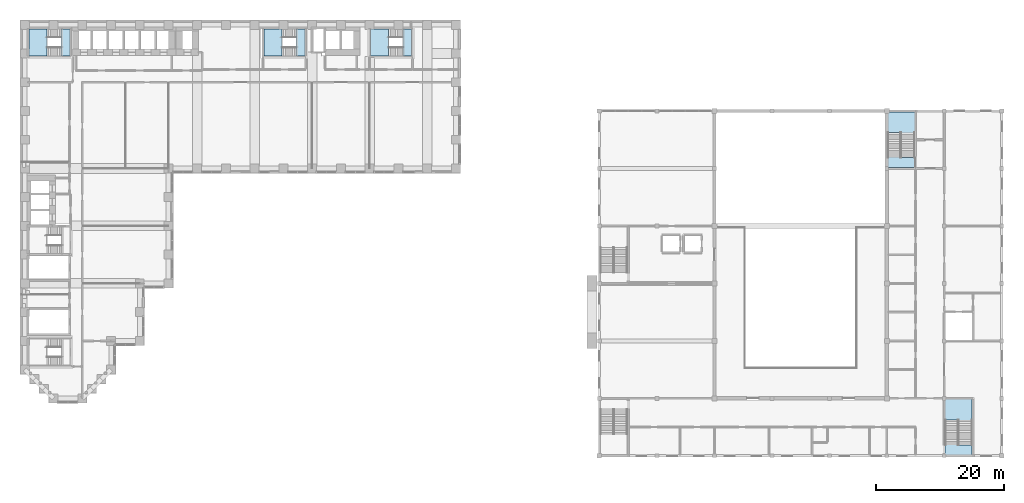
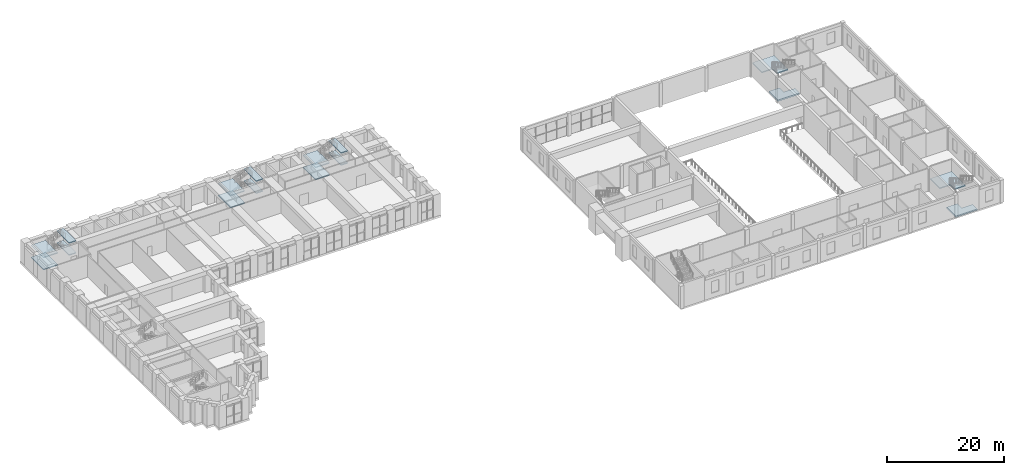
# One storey, part 17 of 34: 16 slabs, 5 elements without a shape of their own.
"""IFC4 building model written with IfcOpenShell, lengths in metres."""

from ifc_helpers import new_model, si_unit, direction, frame, origin, place, context, subcontext, project, spatial, polyline, outline, extrude, material, layer, layer_set, type_object, element, aggregate, save


model = new_model("IFC4")

# Units and contexts
model_context = context("Model", 3, precision=1e-05, world=origin(), true_north=direction((0.0, 1.0)))
body_context = subcontext(model_context, "Body", "Model", "MODEL_VIEW")
ifc_project = project(units=[si_unit("LENGTHUNIT", "METRE"), si_unit("AREAUNIT", "SQUARE_METRE"), si_unit("VOLUMEUNIT", "CUBIC_METRE"), si_unit("PLANEANGLEUNIT", "RADIAN"), si_unit("MASSUNIT", "GRAM", prefix="KILO")], contexts=[model_context])

# Site, building, storey
site_placement = place(None, origin())
site = spatial("IfcSite", under=ifc_project, at=site_placement, CompositionType="ELEMENT")
building_placement = place(site_placement, origin())
building = spatial("IfcBuilding", under=site, at=building_placement, Name="Firuza Court", CompositionType="ELEMENT")
storey_placement = place(building_placement, frame((0.0, 0.0, 19.0)))
storey = spatial("IfcBuildingStorey", under=building, at=storey_placement, Name="L03", CompositionType="ELEMENT", Elevation=19.0)

# Slabs
ifc_material_1 = material(Name="Concrete C40/50", Category="concrete")
ifc_layer_1 = layer(ifc_material_1, 0.300048828125)
ifc_layer_set_1 = layer_set([ifc_layer_1], Name="Concrete C40/50")
slab_type_1 = type_object("IfcSlabType", Name="HALL FLAT SLAB 300", PredefinedType="FLOOR", material=ifc_layer_set_1)
slab_1_placement = place(storey_placement, frame((0.0, 0.0, -0.300048828125)))
element("IfcSlab", 1, at=slab_1_placement, inside=storey, type_object=slab_type_1, Name="Floor slab L03.1", PredefinedType="FLOOR", context=body_context, shape_type="SweptSolid", body=[
    extrude(outline(polyline([(144.125, -8.875), (144.125, -5.800048828125), (146.199951171875, -5.800048828125), (146.199951171875, -7.2900390625), (148.375, -7.2900390625), (148.375, -8.875), (144.125, -8.875)])), origin(), (0.0, 0.0, 1.0), 0.300048828125),
])
slab_2_placement = place(storey_placement, frame((0.0, 0.0, -0.300048828125)))
element("IfcSlab", 2, at=slab_2_placement, inside=storey, type_object=slab_type_1, Name="Floor slab L03.5", PredefinedType="FLOOR", context=body_context, shape_type="SweptSolid", body=[
    extrude(outline(polyline([(135.125, 36.125), (135.125, 39.199951171875), (137.199951171875, 39.199951171875), (137.199951171875, 37.7099609375), (139.375, 37.7099609375), (139.375, 36.125), (135.125, 36.125)])), origin(), (0.0, 0.0, 1.0), 0.300048828125),
])

# Stair, slab
ifc_material_2 = material(Name="Concrete C40/50", Category="concrete")
stair_type_1 = type_object("IfcStairType", Name="HALL STAIR", PredefinedType="NOTDEFINED", material=ifc_material_2)
stair_1_placement = place(storey_placement, origin())
stair_1 = element("IfcStair", 3, at=stair_1_placement, inside=storey, type_object=stair_type_1, Name="Stair H2 L03", PredefinedType="NOTDEFINED")
ifc_layer_2 = layer(ifc_material_1, 0.199951171875)
ifc_layer_set_2 = layer_set([ifc_layer_2], Name="Concrete C40/50")
slab_type_2 = type_object("IfcSlabType", Name="HALL STAIR LANDING 200", PredefinedType="LANDING", material=ifc_layer_set_2)
slab_3_placement = place(storey_placement, frame((0.0, 0.0, 2.300048828125)))
slab_3 = element("IfcSlab", 4, at=slab_3_placement, type_object=slab_type_2, Name="HS-2 landing 1", PredefinedType="LANDING", context=body_context, shape_type="SweptSolid", body=[
    extrude(outline(polyline([(144.125, -3.389892578125), (146.199951171875, -3.389892578125), (146.199951171875, -4.8798828125), (148.375, -4.8798828125), (148.375, -0.125), (144.125, -0.125), (144.125, -3.389892578125)])), origin(), (0.0, 0.0, 1.0), 0.199951171875),
])
aggregate(stair_1, [slab_3])

stair_2_placement = place(storey_placement, origin())
stair_2 = element("IfcStair", 5, at=stair_2_placement, inside=storey, type_object=stair_type_1, Name="Stair H4 L03", PredefinedType="NOTDEFINED")
slab_4_placement = place(storey_placement, frame((0.0, 0.0, 2.300048828125)))
slab_4 = element("IfcSlab", 6, at=slab_4_placement, type_object=slab_type_2, Name="HS-4 landing 1", PredefinedType="LANDING", context=body_context, shape_type="SweptSolid", body=[
    extrude(outline(polyline([(135.125, 41.610107421875), (137.199951171875, 41.610107421875), (137.199951171875, 40.1201171875), (139.375, 40.1201171875), (139.375, 44.875), (135.125, 44.875), (135.125, 41.610107421875)])), origin(), (0.0, 0.0, 1.0), 0.199951171875),
])
aggregate(stair_2, [slab_4])

# Stair, slabs
ifc_material_3 = material(Name="Concrete C40/50 precast", Category="concrete")
stair_type_2 = type_object("IfcStairType", Name="Stair 1350 x 5000 4 flights", PredefinedType="QUARTER_TURN_STAIR", material=ifc_material_3)
stair_3_placement = place(storey_placement, origin())
stair_3 = element("IfcStair", 7, at=stair_3_placement, inside=storey, type_object=stair_type_2, Name="Stair 1 L03", PredefinedType="QUARTER_TURN_STAIR")
ifc_material_4 = material(Name="Concrete C40/50 precast", Category="concrete")
ifc_layer_3 = layer(ifc_material_4, 0.199951171875)
ifc_layer_set_3 = layer_set([ifc_layer_3], Name="Concrete C40/50 precast")
slab_type_3 = type_object("IfcSlabType", Name="Stair landing 200", PredefinedType="LANDING", material=ifc_layer_set_3)
slab_5_placement = place(storey_placement, frame((0.0, 0.0, 1.050048828125)))
slab_5 = element("IfcSlab", 8, at=slab_5_placement, type_object=slab_type_3, Name="S1 landing 1", PredefinedType="LANDING", context=body_context, shape_type="SweptSolid", body=[
    extrude(outline(polyline([(40.260009765625, 53.64990234375), (40.260009765625, 57.85009765625), (37.449951171875, 57.85009765625), (37.449951171875, 53.64990234375), (40.260009765625, 53.64990234375)])), origin(), (0.0, 0.0, 1.0), 0.199951171875),
])
slab_6_placement = place(storey_placement, frame((0.0, 0.0, 2.300048828125)))
slab_6 = element("IfcSlab", 9, at=slab_6_placement, type_object=slab_type_3, Name="S1 landing 2", PredefinedType="LANDING", context=body_context, shape_type="SweptSolid", body=[
    extrude(outline(polyline([(43.85009765625, 53.64990234375), (43.85009765625, 57.85009765625), (42.5, 57.85009765625), (42.5, 53.64990234375), (43.85009765625, 53.64990234375)])), origin(), (0.0, 0.0, 1.0), 0.199951171875),
])
slab_7_placement = place(storey_placement, frame((0.0, 0.0, 3.550048828125)))
slab_7 = element("IfcSlab", 10, at=slab_7_placement, type_object=slab_type_3, Name="S1 landing 3", PredefinedType="LANDING", context=body_context, shape_type="SweptSolid", body=[
    extrude(outline(polyline([(40.260009765625, 53.64990234375), (40.260009765625, 57.85009765625), (37.449951171875, 57.85009765625), (37.449951171875, 53.64990234375), (40.260009765625, 53.64990234375)])), origin(), (0.0, 0.0, 1.0), 0.199951171875),
])
slab_8_placement = place(storey_placement, frame((0.0, 0.0, 4.800048828125)))
slab_8 = element("IfcSlab", 11, at=slab_8_placement, type_object=slab_type_3, Name="S1 landing 4", PredefinedType="LANDING", context=body_context, shape_type="SweptSolid", body=[
    extrude(outline(polyline([(43.85009765625, 53.64990234375), (43.85009765625, 57.85009765625), (42.5, 57.85009765625), (42.5, 53.64990234375), (43.85009765625, 53.64990234375)])), origin(), (0.0, 0.0, 1.0), 0.199951171875),
])
aggregate(stair_3, [slab_5, slab_6, slab_7, slab_8])

stair_4_placement = place(storey_placement, origin())
stair_4 = element("IfcStair", 12, at=stair_4_placement, inside=storey, type_object=stair_type_2, Name="Stair 3 L03", PredefinedType="QUARTER_TURN_STAIR")
slab_9_placement = place(storey_placement, frame((0.0, 0.0, 1.050048828125)))
slab_9 = element("IfcSlab", 13, at=slab_9_placement, type_object=slab_type_3, Name="S3 landing 1", PredefinedType="LANDING", context=body_context, shape_type="SweptSolid", body=[
    extrude(outline(polyline([(3.4599609375, 53.64990234375), (3.4599609375, 57.85009765625), (0.64990234375, 57.85009765625), (0.64990234375, 53.64990234375), (3.4599609375, 53.64990234375)])), origin(), (0.0, 0.0, 1.0), 0.199951171875),
])
slab_10_placement = place(storey_placement, frame((0.0, 0.0, 2.300048828125)))
slab_10 = element("IfcSlab", 14, at=slab_10_placement, type_object=slab_type_3, Name="S3 landing 2", PredefinedType="LANDING", context=body_context, shape_type="SweptSolid", body=[
    extrude(outline(polyline([(7.050048828125, 53.64990234375), (7.050048828125, 57.85009765625), (5.699951171875, 57.85009765625), (5.699951171875, 53.64990234375), (7.050048828125, 53.64990234375)])), origin(), (0.0, 0.0, 1.0), 0.199951171875),
])
slab_11_placement = place(storey_placement, frame((0.0, 0.0, 3.550048828125)))
slab_11 = element("IfcSlab", 15, at=slab_11_placement, type_object=slab_type_3, Name="S3 landing 3", PredefinedType="LANDING", context=body_context, shape_type="SweptSolid", body=[
    extrude(outline(polyline([(3.4599609375, 53.64990234375), (3.4599609375, 57.85009765625), (0.64990234375, 57.85009765625), (0.64990234375, 53.64990234375), (3.4599609375, 53.64990234375)])), origin(), (0.0, 0.0, 1.0), 0.199951171875),
])
slab_12_placement = place(storey_placement, frame((0.0, 0.0, 4.800048828125)))
slab_12 = element("IfcSlab", 16, at=slab_12_placement, type_object=slab_type_3, Name="S3 landing 4", PredefinedType="LANDING", context=body_context, shape_type="SweptSolid", body=[
    extrude(outline(polyline([(7.050048828125, 53.64990234375), (7.050048828125, 57.85009765625), (5.699951171875, 57.85009765625), (5.699951171875, 53.64990234375), (7.050048828125, 53.64990234375)])), origin(), (0.0, 0.0, 1.0), 0.199951171875),
])
aggregate(stair_4, [slab_9, slab_10, slab_11, slab_12])

stair_5_placement = place(storey_placement, origin())
stair_5 = element("IfcStair", 17, at=stair_5_placement, inside=storey, type_object=stair_type_2, Name="Stair 4 L03", PredefinedType="QUARTER_TURN_STAIR")
slab_13_placement = place(storey_placement, frame((0.0, 0.0, 1.050048828125)))
slab_13 = element("IfcSlab", 18, at=slab_13_placement, type_object=slab_type_3, Name="S4 landing 1", PredefinedType="LANDING", context=body_context, shape_type="SweptSolid", body=[
    extrude(outline(polyline([(56.9599609375, 53.64990234375), (56.9599609375, 57.85009765625), (54.14990234375, 57.85009765625), (54.14990234375, 53.64990234375), (56.9599609375, 53.64990234375)])), origin(), (0.0, 0.0, 1.0), 0.199951171875),
])
slab_14_placement = place(storey_placement, frame((0.0, 0.0, 2.300048828125)))
slab_14 = element("IfcSlab", 19, at=slab_14_placement, type_object=slab_type_3, Name="S4 landing 2", PredefinedType="LANDING", context=body_context, shape_type="SweptSolid", body=[
    extrude(outline(polyline([(60.550048828125, 53.64990234375), (60.550048828125, 57.85009765625), (59.199951171875, 57.85009765625), (59.199951171875, 53.64990234375), (60.550048828125, 53.64990234375)])), origin(), (0.0, 0.0, 1.0), 0.199951171875),
])
slab_15_placement = place(storey_placement, frame((0.0, 0.0, 3.550048828125)))
slab_15 = element("IfcSlab", 20, at=slab_15_placement, type_object=slab_type_3, Name="S4 landing 3", PredefinedType="LANDING", context=body_context, shape_type="SweptSolid", body=[
    extrude(outline(polyline([(56.9599609375, 53.64990234375), (56.9599609375, 57.85009765625), (54.14990234375, 57.85009765625), (54.14990234375, 53.64990234375), (56.9599609375, 53.64990234375)])), origin(), (0.0, 0.0, 1.0), 0.199951171875),
])
slab_16_placement = place(storey_placement, frame((0.0, 0.0, 4.800048828125)))
slab_16 = element("IfcSlab", 21, at=slab_16_placement, type_object=slab_type_3, Name="S4 landing 4", PredefinedType="LANDING", context=body_context, shape_type="SweptSolid", body=[
    extrude(outline(polyline([(60.550048828125, 53.64990234375), (60.550048828125, 57.85009765625), (59.199951171875, 57.85009765625), (59.199951171875, 53.64990234375), (60.550048828125, 53.64990234375)])), origin(), (0.0, 0.0, 1.0), 0.199951171875),
])
aggregate(stair_5, [slab_13, slab_14, slab_15, slab_16])

save(model, "model.ifc")
